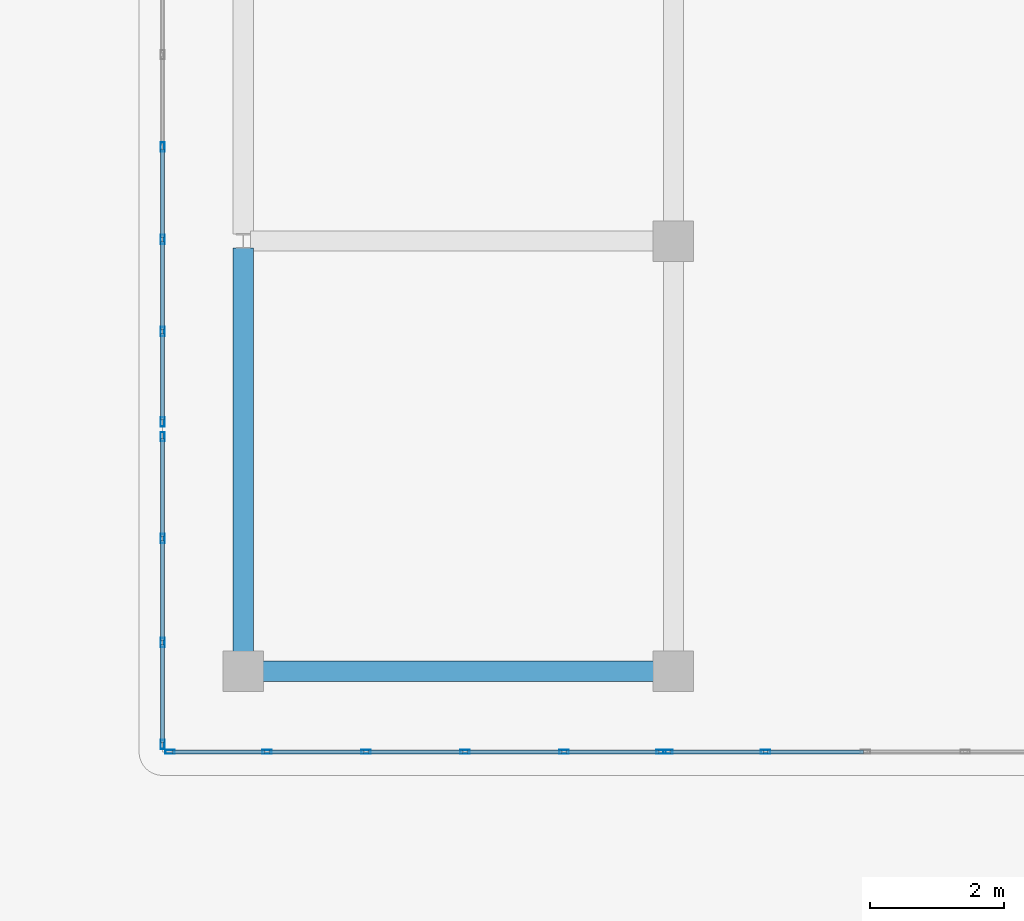
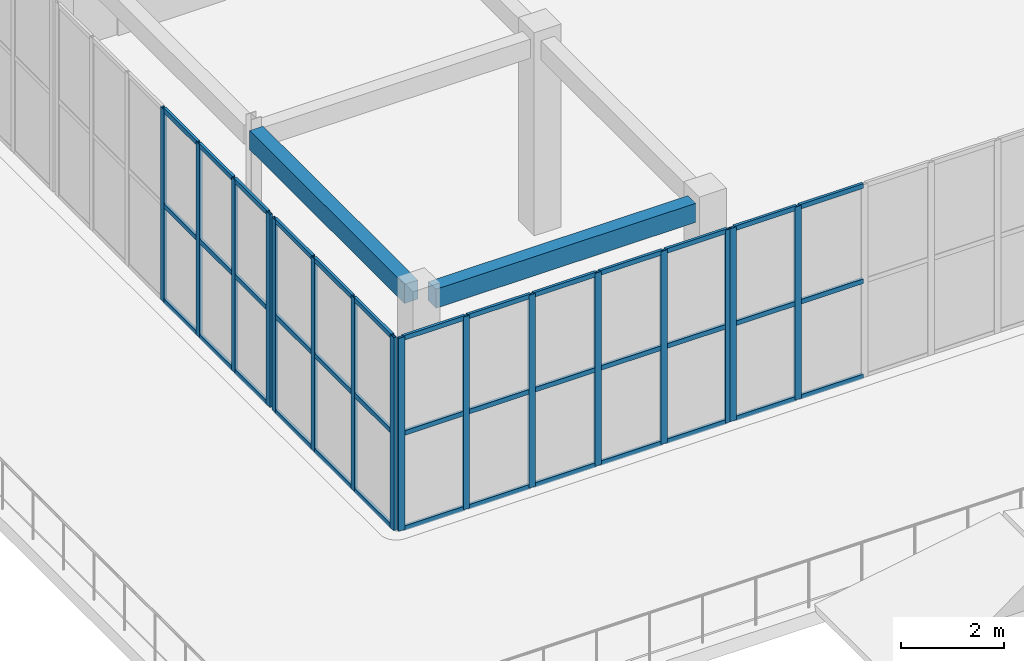
# One storey, part 21 of 158: 55 members, 2 beams, 4 elements without a shape of their own.
"""IFC4 building model written with IfcOpenShell, lengths in metres."""

from ifc_helpers import new_model, si_unit, direction, frame, origin, origin_2d, place, context, subcontext, project, spatial, rectangle, hollow_rectangle, extrude, material, layer, layer_set, material_profile, profile_set, type_object, element, aggregate, save


model = new_model("IFC4")

# Units and contexts
model_context = context("Model", 3, precision=1e-05, world=origin(), true_north=direction((0.0, 1.0)))
body_context = subcontext(model_context, "Body", "Model", "MODEL_VIEW")
ifc_project = project(units=[si_unit("LENGTHUNIT", "METRE"), si_unit("AREAUNIT", "SQUARE_METRE"), si_unit("VOLUMEUNIT", "CUBIC_METRE"), si_unit("PLANEANGLEUNIT", "RADIAN"), si_unit("MASSUNIT", "GRAM", prefix="KILO")], contexts=[model_context])

# Site, building, storey
site_placement = place(None, origin())
site = spatial("IfcSite", under=ifc_project, at=site_placement, CompositionType="ELEMENT")
building_placement = place(site_placement, origin())
building = spatial("IfcBuilding", under=site, at=building_placement, Name="Trelvath General Hospital", CompositionType="ELEMENT")
storey_placement = place(building_placement, frame((0.0, 0.0, 8.10009765625)))
storey = spatial("IfcBuildingStorey", under=building, at=storey_placement, Name="L02", CompositionType="ELEMENT", Elevation=8.10009765625)

# Beams
ifc_material_1 = material(Name="Concrete C35/45", Category="concrete")
ifc_material_profile_1 = material_profile(ifc_material_1, rectangle(XDim=0.300048828125, YDim=0.449951171875, at=origin_2d()), Name="RCB300x450")
ifc_profile_set_1 = profile_set([ifc_material_profile_1], Name="Concrete C35/45")
beam_type = type_object("IfcBeamType", Name="Beam RC300x450", PredefinedType="BEAM", material=ifc_profile_set_1)
beam_1_placement = place(storey_placement, frame((54.696044921875, 38.39990234375, 4.3349609375), z_axis=(1.0, 0.0, 0.0), x_axis=(0.0, 1.0, 0.0)))
element("IfcBeam", 1, at=beam_1_placement, inside=storey, type_object=beam_type, Name="Cube Interior Ring Beam CUBE-W-T1 L02", PredefinedType="BEAM", context=body_context, shape_type="SweptSolid", body=[
    extrude(rectangle(XDim=0.300048828125, YDim=0.449951171875, at=origin_2d()), origin(), (0.0, 0.0, 1.0), 5.807861328125),
])
beam_2_placement = place(storey_placement, frame((54.39990234375, 38.696044921875, 4.3349609375), z_axis=(0.0, 1.0, 0.0), x_axis=(-1.0, 0.0, 0.0)))
element("IfcBeam", 2, at=beam_2_placement, inside=storey, type_object=beam_type, Name="Cube Interior Ring Beam CUBE-W-T1 L02", PredefinedType="BEAM", context=body_context, shape_type="SweptSolid", body=[
    extrude(rectangle(XDim=0.300048828125, YDim=0.449951171875, at=origin_2d()), origin(), (0.0, 0.0, 1.0), 5.998046875),
])

# Curtain wall, members
ifc_material_2 = material(Name="Anodised aluminium and low-E glass", Category="aluminium")
ifc_layer_1 = layer(ifc_material_2, 0.139892578125)
ifc_layer_set_1 = layer_set([ifc_layer_1], Name="Anodised aluminium and low-E glass")
curtain_wall_type_1 = type_object("IfcCurtainWallType", Name="CW CrystalCube 737 456 14", PredefinedType="USERDEFINED", material=ifc_layer_set_1)
curtain_wall_1_placement = place(storey_placement, origin())
curtain_wall_1 = element("IfcCurtainWall", 3, at=curtain_wall_1_placement, inside=storey, type_object=curtain_wall_type_1, Name="Crystal Cube Curtain Wall CUBE-W-T1 S1 L02", ObjectType="Unitised Glazed Curtain Wall", PredefinedType="USERDEFINED")
ifc_material_3 = material(Name="Anodised aluminium", Category="aluminium")
ifc_material_profile_2 = material_profile(ifc_material_3, hollow_rectangle(XDim=0.06005859375, YDim=0.139892578125, WallThickness=0.00390625, at=origin_2d()), Name="RHS60x140x4")
ifc_profile_set_2 = profile_set([ifc_material_profile_2], Name="Anodised aluminium")
member_type_1 = type_object("IfcMemberType", Name="CurtainMullion 60x140", PredefinedType="MULLION", material=ifc_profile_set_2)
member_1_placement = place(storey_placement, frame((60.61669921875, 37.199951171875, 0.0), z_axis=(0.0, 0.0, 1.0), x_axis=(0.0, -1.0, 0.0)))
member_1 = element("IfcMember", 4, at=member_1_placement, type_object=member_type_1, Name="CW-190 mullion 1", PredefinedType="MULLION", context=body_context, shape_type="SweptSolid", body=[
    extrude(hollow_rectangle(XDim=0.06005859375, YDim=0.139892578125, WallThickness=0.00390625, at=origin_2d()), origin(), (0.0, 0.0, 1.0), 4.559814453125),
])
member_2_placement = place(storey_placement, frame((59.17333984375, 37.199951171875, 0.0), z_axis=(0.0, 0.0, 1.0), x_axis=(0.0, -1.0, 0.0)))
member_2 = element("IfcMember", 5, at=member_2_placement, type_object=member_type_1, Name="CW-190 mullion 2", PredefinedType="MULLION", context=body_context, shape_type="SweptSolid", body=[
    extrude(hollow_rectangle(XDim=0.06005859375, YDim=0.139892578125, WallThickness=0.00390625, at=origin_2d()), origin(), (0.0, 0.0, 1.0), 4.559814453125),
])
member_3_placement = place(storey_placement, frame((57.699951171875, 37.199951171875, 0.0), z_axis=(0.0, 0.0, 1.0), x_axis=(0.0, -1.0, 0.0)))
member_3 = element("IfcMember", 6, at=member_3_placement, type_object=member_type_1, Name="CW-190 mullion 3", PredefinedType="MULLION", context=body_context, shape_type="SweptSolid", body=[
    extrude(hollow_rectangle(XDim=0.06005859375, YDim=0.139892578125, WallThickness=0.00390625, at=origin_2d()), origin(), (0.0, 0.0, 1.0), 4.559814453125),
])
member_4_placement = place(storey_placement, frame((56.2265625, 37.199951171875, 0.0), z_axis=(0.0, 0.0, 1.0), x_axis=(0.0, -1.0, 0.0)))
member_4 = element("IfcMember", 7, at=member_4_placement, type_object=member_type_1, Name="CW-190 mullion 4", PredefinedType="MULLION", context=body_context, shape_type="SweptSolid", body=[
    extrude(hollow_rectangle(XDim=0.06005859375, YDim=0.139892578125, WallThickness=0.00390625, at=origin_2d()), origin(), (0.0, 0.0, 1.0), 4.559814453125),
])
member_5_placement = place(storey_placement, frame((54.75341796875, 37.199951171875, 0.0), z_axis=(0.0, 0.0, 1.0), x_axis=(0.0, -1.0, 0.0)))
member_5 = element("IfcMember", 8, at=member_5_placement, type_object=member_type_1, Name="CW-190 mullion 5", PredefinedType="MULLION", context=body_context, shape_type="SweptSolid", body=[
    extrude(hollow_rectangle(XDim=0.06005859375, YDim=0.139892578125, WallThickness=0.00390625, at=origin_2d()), origin(), (0.0, 0.0, 1.0), 4.559814453125),
])
member_6_placement = place(storey_placement, frame((53.31005859375, 37.199951171875, 0.0), z_axis=(0.0, 0.0, 1.0), x_axis=(0.0, -1.0, 0.0)))
member_6 = element("IfcMember", 9, at=member_6_placement, type_object=member_type_1, Name="CW-190 mullion 6", PredefinedType="MULLION", context=body_context, shape_type="SweptSolid", body=[
    extrude(hollow_rectangle(XDim=0.06005859375, YDim=0.139892578125, WallThickness=0.00390625, at=origin_2d()), origin(), (0.0, 0.0, 1.0), 4.559814453125),
])

ifc_material_4 = material(Name="Anodised aluminium and low-E glass", Category="aluminium")
ifc_layer_2 = layer(ifc_material_4, 0.139892578125)
ifc_layer_set_2 = layer_set([ifc_layer_2], Name="Anodised aluminium and low-E glass")
curtain_wall_type_2 = type_object("IfcCurtainWallType", Name="CW CrystalCube 743 456 14", PredefinedType="USERDEFINED", material=ifc_layer_set_2)
curtain_wall_2_placement = place(storey_placement, origin())
curtain_wall_2 = element("IfcCurtainWall", 10, at=curtain_wall_2_placement, inside=storey, type_object=curtain_wall_type_2, Name="Crystal Cube Curtain Wall CUBE-W-T1 S2 L02", ObjectType="Unitised Glazed Curtain Wall", PredefinedType="USERDEFINED")
member_7_placement = place(storey_placement, frame((62.172119140625, 37.199951171875, 0.0), z_axis=(0.0, 0.0, 1.0), x_axis=(0.0, -1.0, 0.0)))
member_7 = element("IfcMember", 11, at=member_7_placement, type_object=member_type_1, Name="CW-191 mullion 5", PredefinedType="MULLION", context=body_context, shape_type="SweptSolid", body=[
    extrude(hollow_rectangle(XDim=0.06005859375, YDim=0.139892578125, WallThickness=0.00390625, at=origin_2d()), origin(), (0.0, 0.0, 1.0), 4.559814453125),
])
member_8_placement = place(storey_placement, frame((60.716796875, 37.199951171875, 0.0), z_axis=(0.0, 0.0, 1.0), x_axis=(0.0, -1.0, 0.0)))
member_8 = element("IfcMember", 12, at=member_8_placement, type_object=member_type_1, Name="CW-191 mullion 6", PredefinedType="MULLION", context=body_context, shape_type="SweptSolid", body=[
    extrude(hollow_rectangle(XDim=0.06005859375, YDim=0.139892578125, WallThickness=0.00390625, at=origin_2d()), origin(), (0.0, 0.0, 1.0), 4.559814453125),
])

ifc_material_5 = material(Name="Anodised aluminium and low-E glass", Category="aluminium")
ifc_layer_3 = layer(ifc_material_5, 0.139892578125)
ifc_layer_set_3 = layer_set([ifc_layer_3], Name="Anodised aluminium and low-E glass")
curtain_wall_type_3 = type_object("IfcCurtainWallType", Name="CW CrystalCube 464 456 14", PredefinedType="USERDEFINED", material=ifc_layer_set_3)
curtain_wall_3_placement = place(storey_placement, origin())
curtain_wall_3 = element("IfcCurtainWall", 13, at=curtain_wall_3_placement, inside=storey, type_object=curtain_wall_type_3, Name="Crystal Cube Curtain Wall CUBE-W-T1 W1 L02", ObjectType="Unitised Glazed Curtain Wall", PredefinedType="USERDEFINED")
member_9_placement = place(storey_placement, frame((53.199951171875, 37.31005859375, 0.0), z_axis=(0.0, 0.0, 1.0), x_axis=(-1.0, 0.0, 0.0)))
member_9 = element("IfcMember", 14, at=member_9_placement, type_object=member_type_1, Name="CW-196 mullion 1", PredefinedType="MULLION", context=body_context, shape_type="SweptSolid", body=[
    extrude(hollow_rectangle(XDim=0.06005859375, YDim=0.139892578125, WallThickness=0.00390625, at=origin_2d()), origin(), (0.0, 0.0, 1.0), 4.559814453125),
])
member_10_placement = place(storey_placement, frame((53.199951171875, 38.82666015625, 0.0), z_axis=(0.0, 0.0, 1.0), x_axis=(-1.0, 0.0, 0.0)))
member_10 = element("IfcMember", 15, at=member_10_placement, type_object=member_type_1, Name="CW-196 mullion 2", PredefinedType="MULLION", context=body_context, shape_type="SweptSolid", body=[
    extrude(hollow_rectangle(XDim=0.06005859375, YDim=0.139892578125, WallThickness=0.00390625, at=origin_2d()), origin(), (0.0, 0.0, 1.0), 4.559814453125),
])
member_11_placement = place(storey_placement, frame((53.199951171875, 40.373291015625, 0.0), z_axis=(0.0, 0.0, 1.0), x_axis=(-1.0, 0.0, 0.0)))
member_11 = element("IfcMember", 16, at=member_11_placement, type_object=member_type_1, Name="CW-196 mullion 3", PredefinedType="MULLION", context=body_context, shape_type="SweptSolid", body=[
    extrude(hollow_rectangle(XDim=0.06005859375, YDim=0.139892578125, WallThickness=0.00390625, at=origin_2d()), origin(), (0.0, 0.0, 1.0), 4.559814453125),
])
member_12_placement = place(storey_placement, frame((53.199951171875, 41.889892578125, 0.0), z_axis=(0.0, 0.0, 1.0), x_axis=(-1.0, 0.0, 0.0)))
member_12 = element("IfcMember", 17, at=member_12_placement, type_object=member_type_1, Name="CW-196 mullion 4", PredefinedType="MULLION", context=body_context, shape_type="SweptSolid", body=[
    extrude(hollow_rectangle(XDim=0.06005859375, YDim=0.139892578125, WallThickness=0.00390625, at=origin_2d()), origin(), (0.0, 0.0, 1.0), 4.559814453125),
])

ifc_material_6 = material(Name="Anodised aluminium and low-E glass", Category="aluminium")
ifc_layer_4 = layer(ifc_material_6, 0.139892578125)
ifc_layer_set_4 = layer_set([ifc_layer_4], Name="Anodised aluminium and low-E glass")
curtain_wall_type_4 = type_object("IfcCurtainWallType", Name="CW CrystalCube 824 456 14", PredefinedType="USERDEFINED", material=ifc_layer_set_4)
curtain_wall_4_placement = place(storey_placement, origin())
curtain_wall_4 = element("IfcCurtainWall", 18, at=curtain_wall_4_placement, inside=storey, type_object=curtain_wall_type_4, Name="Crystal Cube Curtain Wall CUBE-W-T1 W2 L02", ObjectType="Unitised Glazed Curtain Wall", PredefinedType="USERDEFINED")
member_13_placement = place(storey_placement, frame((53.199951171875, 42.110107421875, 0.0), z_axis=(0.0, 0.0, 1.0), x_axis=(-1.0, 0.0, 0.0)))
member_13 = element("IfcMember", 19, at=member_13_placement, type_object=member_type_1, Name="CW-198 mullion 1", PredefinedType="MULLION", context=body_context, shape_type="SweptSolid", body=[
    extrude(hollow_rectangle(XDim=0.06005859375, YDim=0.139892578125, WallThickness=0.00390625, at=origin_2d()), origin(), (0.0, 0.0, 1.0), 4.559814453125),
])
member_14_placement = place(storey_placement, frame((53.199951171875, 43.453369140625, 0.0), z_axis=(0.0, 0.0, 1.0), x_axis=(-1.0, 0.0, 0.0)))
member_14 = element("IfcMember", 20, at=member_14_placement, type_object=member_type_1, Name="CW-198 mullion 2", PredefinedType="MULLION", context=body_context, shape_type="SweptSolid", body=[
    extrude(hollow_rectangle(XDim=0.06005859375, YDim=0.139892578125, WallThickness=0.00390625, at=origin_2d()), origin(), (0.0, 0.0, 1.0), 4.559814453125),
])
member_15_placement = place(storey_placement, frame((53.199951171875, 44.82666015625, 0.0), z_axis=(0.0, 0.0, 1.0), x_axis=(-1.0, 0.0, 0.0)))
member_15 = element("IfcMember", 21, at=member_15_placement, type_object=member_type_1, Name="CW-198 mullion 3", PredefinedType="MULLION", context=body_context, shape_type="SweptSolid", body=[
    extrude(hollow_rectangle(XDim=0.06005859375, YDim=0.139892578125, WallThickness=0.00390625, at=origin_2d()), origin(), (0.0, 0.0, 1.0), 4.559814453125),
])
member_16_placement = place(storey_placement, frame((53.199951171875, 46.199951171875, 0.0), z_axis=(0.0, 0.0, 1.0), x_axis=(-1.0, 0.0, 0.0)))
member_16 = element("IfcMember", 22, at=member_16_placement, type_object=member_type_1, Name="CW-198 mullion 4", PredefinedType="MULLION", context=body_context, shape_type="SweptSolid", body=[
    extrude(hollow_rectangle(XDim=0.06005859375, YDim=0.139892578125, WallThickness=0.00390625, at=origin_2d()), origin(), (0.0, 0.0, 1.0), 4.559814453125),
])

# Member
ifc_material_7 = material(Name="Anodised aluminium", Category="aluminium")
ifc_material_profile_3 = material_profile(ifc_material_7, hollow_rectangle(XDim=0.06005859375, YDim=0.110107421875, WallThickness=0.00390625, at=origin_2d()), Name="RHS60x110x4")
ifc_profile_set_3 = profile_set([ifc_material_profile_3], Name="Anodised aluminium")
member_type_2 = type_object("IfcMemberType", Name="CurtainTransom 60x110", PredefinedType="USERDEFINED", material=ifc_profile_set_3)
member_17_placement = place(storey_placement, frame((60.586669921875, 37.199951171875, 0.02978515625), z_axis=(-1.0, 0.0, 0.0), x_axis=(0.0, -1.0, 0.0)))
member_17 = element("IfcMember", 23, at=member_17_placement, type_object=member_type_2, Name="CW-190 transom 1.1", ObjectType="TRANSOM", PredefinedType="USERDEFINED", context=body_context, shape_type="SweptSolid", body=[
    extrude(hollow_rectangle(XDim=0.06005859375, YDim=0.110107421875, WallThickness=0.00390625, at=origin_2d()), origin(), (0.0, 0.0, 1.0), 1.38330078125),
])

member_18_placement = place(storey_placement, frame((60.586669921875, 37.199951171875, 2.27978515625), z_axis=(-1.0, 0.0, 0.0), x_axis=(0.0, -1.0, 0.0)))
member_18 = element("IfcMember", 24, at=member_18_placement, type_object=member_type_2, Name="CW-190 transom 1.2", ObjectType="TRANSOM", PredefinedType="USERDEFINED", context=body_context, shape_type="SweptSolid", body=[
    extrude(hollow_rectangle(XDim=0.06005859375, YDim=0.110107421875, WallThickness=0.00390625, at=origin_2d()), origin(), (0.0, 0.0, 1.0), 1.38330078125),
])

member_19_placement = place(storey_placement, frame((60.586669921875, 37.199951171875, 4.52978515625), z_axis=(-1.0, 0.0, 0.0), x_axis=(0.0, -1.0, 0.0)))
member_19 = element("IfcMember", 25, at=member_19_placement, type_object=member_type_2, Name="CW-190 transom 1.3", ObjectType="TRANSOM", PredefinedType="USERDEFINED", context=body_context, shape_type="SweptSolid", body=[
    extrude(hollow_rectangle(XDim=0.06005859375, YDim=0.110107421875, WallThickness=0.00390625, at=origin_2d()), origin(), (0.0, 0.0, 1.0), 1.38330078125),
])

member_20_placement = place(storey_placement, frame((59.143310546875, 37.199951171875, 0.02978515625), z_axis=(-1.0, 0.0, 0.0), x_axis=(0.0, -1.0, 0.0)))
member_20 = element("IfcMember", 26, at=member_20_placement, type_object=member_type_2, Name="CW-190 transom 2.1", ObjectType="TRANSOM", PredefinedType="USERDEFINED", context=body_context, shape_type="SweptSolid", body=[
    extrude(hollow_rectangle(XDim=0.06005859375, YDim=0.110107421875, WallThickness=0.00390625, at=origin_2d()), origin(), (0.0, 0.0, 1.0), 1.413330078125),
])

member_21_placement = place(storey_placement, frame((59.143310546875, 37.199951171875, 2.27978515625), z_axis=(-1.0, 0.0, 0.0), x_axis=(0.0, -1.0, 0.0)))
member_21 = element("IfcMember", 27, at=member_21_placement, type_object=member_type_2, Name="CW-190 transom 2.2", ObjectType="TRANSOM", PredefinedType="USERDEFINED", context=body_context, shape_type="SweptSolid", body=[
    extrude(hollow_rectangle(XDim=0.06005859375, YDim=0.110107421875, WallThickness=0.00390625, at=origin_2d()), origin(), (0.0, 0.0, 1.0), 1.413330078125),
])

member_22_placement = place(storey_placement, frame((59.143310546875, 37.199951171875, 4.52978515625), z_axis=(-1.0, 0.0, 0.0), x_axis=(0.0, -1.0, 0.0)))
member_22 = element("IfcMember", 28, at=member_22_placement, type_object=member_type_2, Name="CW-190 transom 2.3", ObjectType="TRANSOM", PredefinedType="USERDEFINED", context=body_context, shape_type="SweptSolid", body=[
    extrude(hollow_rectangle(XDim=0.06005859375, YDim=0.110107421875, WallThickness=0.00390625, at=origin_2d()), origin(), (0.0, 0.0, 1.0), 1.413330078125),
])

member_23_placement = place(storey_placement, frame((57.669921875, 37.199951171875, 0.02978515625), z_axis=(-1.0, 0.0, 0.0), x_axis=(0.0, -1.0, 0.0)))
member_23 = element("IfcMember", 29, at=member_23_placement, type_object=member_type_2, Name="CW-190 transom 3.1", ObjectType="TRANSOM", PredefinedType="USERDEFINED", context=body_context, shape_type="SweptSolid", body=[
    extrude(hollow_rectangle(XDim=0.06005859375, YDim=0.110107421875, WallThickness=0.00390625, at=origin_2d()), origin(), (0.0, 0.0, 1.0), 1.413330078125),
])

member_24_placement = place(storey_placement, frame((57.669921875, 37.199951171875, 2.27978515625), z_axis=(-1.0, 0.0, 0.0), x_axis=(0.0, -1.0, 0.0)))
member_24 = element("IfcMember", 30, at=member_24_placement, type_object=member_type_2, Name="CW-190 transom 3.2", ObjectType="TRANSOM", PredefinedType="USERDEFINED", context=body_context, shape_type="SweptSolid", body=[
    extrude(hollow_rectangle(XDim=0.06005859375, YDim=0.110107421875, WallThickness=0.00390625, at=origin_2d()), origin(), (0.0, 0.0, 1.0), 1.413330078125),
])

member_25_placement = place(storey_placement, frame((57.669921875, 37.199951171875, 4.52978515625), z_axis=(-1.0, 0.0, 0.0), x_axis=(0.0, -1.0, 0.0)))
member_25 = element("IfcMember", 31, at=member_25_placement, type_object=member_type_2, Name="CW-190 transom 3.3", ObjectType="TRANSOM", PredefinedType="USERDEFINED", context=body_context, shape_type="SweptSolid", body=[
    extrude(hollow_rectangle(XDim=0.06005859375, YDim=0.110107421875, WallThickness=0.00390625, at=origin_2d()), origin(), (0.0, 0.0, 1.0), 1.413330078125),
])

member_26_placement = place(storey_placement, frame((56.19677734375, 37.199951171875, 0.02978515625), z_axis=(-1.0, 0.0, 0.0), x_axis=(0.0, -1.0, 0.0)))
member_26 = element("IfcMember", 32, at=member_26_placement, type_object=member_type_2, Name="CW-190 transom 4.1", ObjectType="TRANSOM", PredefinedType="USERDEFINED", context=body_context, shape_type="SweptSolid", body=[
    extrude(hollow_rectangle(XDim=0.06005859375, YDim=0.110107421875, WallThickness=0.00390625, at=origin_2d()), origin(), (0.0, 0.0, 1.0), 1.413330078125),
])

member_27_placement = place(storey_placement, frame((56.19677734375, 37.199951171875, 2.27978515625), z_axis=(-1.0, 0.0, 0.0), x_axis=(0.0, -1.0, 0.0)))
member_27 = element("IfcMember", 33, at=member_27_placement, type_object=member_type_2, Name="CW-190 transom 4.2", ObjectType="TRANSOM", PredefinedType="USERDEFINED", context=body_context, shape_type="SweptSolid", body=[
    extrude(hollow_rectangle(XDim=0.06005859375, YDim=0.110107421875, WallThickness=0.00390625, at=origin_2d()), origin(), (0.0, 0.0, 1.0), 1.413330078125),
])

member_28_placement = place(storey_placement, frame((56.19677734375, 37.199951171875, 4.52978515625), z_axis=(-1.0, 0.0, 0.0), x_axis=(0.0, -1.0, 0.0)))
member_28 = element("IfcMember", 34, at=member_28_placement, type_object=member_type_2, Name="CW-190 transom 4.3", ObjectType="TRANSOM", PredefinedType="USERDEFINED", context=body_context, shape_type="SweptSolid", body=[
    extrude(hollow_rectangle(XDim=0.06005859375, YDim=0.110107421875, WallThickness=0.00390625, at=origin_2d()), origin(), (0.0, 0.0, 1.0), 1.413330078125),
])

member_29_placement = place(storey_placement, frame((54.723388671875, 37.199951171875, 0.02978515625), z_axis=(-1.0, 0.0, 0.0), x_axis=(0.0, -1.0, 0.0)))
member_29 = element("IfcMember", 35, at=member_29_placement, type_object=member_type_2, Name="CW-190 transom 5.1", ObjectType="TRANSOM", PredefinedType="USERDEFINED", context=body_context, shape_type="SweptSolid", body=[
    extrude(hollow_rectangle(XDim=0.06005859375, YDim=0.110107421875, WallThickness=0.00390625, at=origin_2d()), origin(), (0.0, 0.0, 1.0), 1.38330078125),
])

member_30_placement = place(storey_placement, frame((54.723388671875, 37.199951171875, 2.27978515625), z_axis=(-1.0, 0.0, 0.0), x_axis=(0.0, -1.0, 0.0)))
member_30 = element("IfcMember", 36, at=member_30_placement, type_object=member_type_2, Name="CW-190 transom 5.2", ObjectType="TRANSOM", PredefinedType="USERDEFINED", context=body_context, shape_type="SweptSolid", body=[
    extrude(hollow_rectangle(XDim=0.06005859375, YDim=0.110107421875, WallThickness=0.00390625, at=origin_2d()), origin(), (0.0, 0.0, 1.0), 1.38330078125),
])

member_31_placement = place(storey_placement, frame((54.723388671875, 37.199951171875, 4.52978515625), z_axis=(-1.0, 0.0, 0.0), x_axis=(0.0, -1.0, 0.0)))
member_31 = element("IfcMember", 37, at=member_31_placement, type_object=member_type_2, Name="CW-190 transom 5.3", ObjectType="TRANSOM", PredefinedType="USERDEFINED", context=body_context, shape_type="SweptSolid", body=[
    extrude(hollow_rectangle(XDim=0.06005859375, YDim=0.110107421875, WallThickness=0.00390625, at=origin_2d()), origin(), (0.0, 0.0, 1.0), 1.38330078125),
])

aggregate(curtain_wall_1, [member_1, member_2, member_3, member_4, member_5, member_6, member_17, member_18, member_19, member_20, member_21, member_22, member_23, member_24, member_25, member_26, member_27, member_28, member_29, member_30, member_31])

member_32_placement = place(storey_placement, frame((63.62744140625, 37.199951171875, 0.02978515625), z_axis=(-1.0, 0.0, 0.0), x_axis=(0.0, -1.0, 0.0)))
member_32 = element("IfcMember", 38, at=member_32_placement, type_object=member_type_2, Name="CW-191 transom 4.1", ObjectType="TRANSOM", PredefinedType="USERDEFINED", context=body_context, shape_type="SweptSolid", body=[
    extrude(hollow_rectangle(XDim=0.06005859375, YDim=0.110107421875, WallThickness=0.00390625, at=origin_2d()), origin(), (0.0, 0.0, 1.0), 1.425537109375),
])

member_33_placement = place(storey_placement, frame((63.62744140625, 37.199951171875, 2.27978515625), z_axis=(-1.0, 0.0, 0.0), x_axis=(0.0, -1.0, 0.0)))
member_33 = element("IfcMember", 39, at=member_33_placement, type_object=member_type_2, Name="CW-191 transom 4.2", ObjectType="TRANSOM", PredefinedType="USERDEFINED", context=body_context, shape_type="SweptSolid", body=[
    extrude(hollow_rectangle(XDim=0.06005859375, YDim=0.110107421875, WallThickness=0.00390625, at=origin_2d()), origin(), (0.0, 0.0, 1.0), 1.425537109375),
])

member_34_placement = place(storey_placement, frame((63.62744140625, 37.199951171875, 4.52978515625), z_axis=(-1.0, 0.0, 0.0), x_axis=(0.0, -1.0, 0.0)))
member_34 = element("IfcMember", 40, at=member_34_placement, type_object=member_type_2, Name="CW-191 transom 4.3", ObjectType="TRANSOM", PredefinedType="USERDEFINED", context=body_context, shape_type="SweptSolid", body=[
    extrude(hollow_rectangle(XDim=0.06005859375, YDim=0.110107421875, WallThickness=0.00390625, at=origin_2d()), origin(), (0.0, 0.0, 1.0), 1.425537109375),
])

member_35_placement = place(storey_placement, frame((62.14208984375, 37.199951171875, 0.02978515625), z_axis=(-1.0, 0.0, 0.0), x_axis=(0.0, -1.0, 0.0)))
member_35 = element("IfcMember", 41, at=member_35_placement, type_object=member_type_2, Name="CW-191 transom 5.1", ObjectType="TRANSOM", PredefinedType="USERDEFINED", context=body_context, shape_type="SweptSolid", body=[
    extrude(hollow_rectangle(XDim=0.06005859375, YDim=0.110107421875, WallThickness=0.00390625, at=origin_2d()), origin(), (0.0, 0.0, 1.0), 1.3955078125),
])

member_36_placement = place(storey_placement, frame((62.14208984375, 37.199951171875, 2.27978515625), z_axis=(-1.0, 0.0, 0.0), x_axis=(0.0, -1.0, 0.0)))
member_36 = element("IfcMember", 42, at=member_36_placement, type_object=member_type_2, Name="CW-191 transom 5.2", ObjectType="TRANSOM", PredefinedType="USERDEFINED", context=body_context, shape_type="SweptSolid", body=[
    extrude(hollow_rectangle(XDim=0.06005859375, YDim=0.110107421875, WallThickness=0.00390625, at=origin_2d()), origin(), (0.0, 0.0, 1.0), 1.3955078125),
])

member_37_placement = place(storey_placement, frame((62.14208984375, 37.199951171875, 4.52978515625), z_axis=(-1.0, 0.0, 0.0), x_axis=(0.0, -1.0, 0.0)))
member_37 = element("IfcMember", 43, at=member_37_placement, type_object=member_type_2, Name="CW-191 transom 5.3", ObjectType="TRANSOM", PredefinedType="USERDEFINED", context=body_context, shape_type="SweptSolid", body=[
    extrude(hollow_rectangle(XDim=0.06005859375, YDim=0.110107421875, WallThickness=0.00390625, at=origin_2d()), origin(), (0.0, 0.0, 1.0), 1.3955078125),
])

aggregate(curtain_wall_2, [member_7, member_8, member_32, member_33, member_34, member_35, member_36, member_37])

member_38_placement = place(storey_placement, frame((53.199951171875, 37.340087890625, 0.02978515625), z_axis=(0.0, 1.0, 0.0), x_axis=(-1.0, 0.0, 0.0)))
member_38 = element("IfcMember", 44, at=member_38_placement, type_object=member_type_2, Name="CW-196 transom 1.1", ObjectType="TRANSOM", PredefinedType="USERDEFINED", context=body_context, shape_type="SweptSolid", body=[
    extrude(hollow_rectangle(XDim=0.06005859375, YDim=0.110107421875, WallThickness=0.00390625, at=origin_2d()), origin(), (0.0, 0.0, 1.0), 1.45654296875),
])

member_39_placement = place(storey_placement, frame((53.199951171875, 37.340087890625, 2.27978515625), z_axis=(0.0, 1.0, 0.0), x_axis=(-1.0, 0.0, 0.0)))
member_39 = element("IfcMember", 45, at=member_39_placement, type_object=member_type_2, Name="CW-196 transom 1.2", ObjectType="TRANSOM", PredefinedType="USERDEFINED", context=body_context, shape_type="SweptSolid", body=[
    extrude(hollow_rectangle(XDim=0.06005859375, YDim=0.110107421875, WallThickness=0.00390625, at=origin_2d()), origin(), (0.0, 0.0, 1.0), 1.45654296875),
])

member_40_placement = place(storey_placement, frame((53.199951171875, 37.340087890625, 4.52978515625), z_axis=(0.0, 1.0, 0.0), x_axis=(-1.0, 0.0, 0.0)))
member_40 = element("IfcMember", 46, at=member_40_placement, type_object=member_type_2, Name="CW-196 transom 1.3", ObjectType="TRANSOM", PredefinedType="USERDEFINED", context=body_context, shape_type="SweptSolid", body=[
    extrude(hollow_rectangle(XDim=0.06005859375, YDim=0.110107421875, WallThickness=0.00390625, at=origin_2d()), origin(), (0.0, 0.0, 1.0), 1.45654296875),
])

member_41_placement = place(storey_placement, frame((53.199951171875, 38.856689453125, 0.02978515625), z_axis=(0.0, 1.0, 0.0), x_axis=(-1.0, 0.0, 0.0)))
member_41 = element("IfcMember", 47, at=member_41_placement, type_object=member_type_2, Name="CW-196 transom 2.1", ObjectType="TRANSOM", PredefinedType="USERDEFINED", context=body_context, shape_type="SweptSolid", body=[
    extrude(hollow_rectangle(XDim=0.06005859375, YDim=0.110107421875, WallThickness=0.00390625, at=origin_2d()), origin(), (0.0, 0.0, 1.0), 1.486572265625),
])

member_42_placement = place(storey_placement, frame((53.199951171875, 38.856689453125, 2.27978515625), z_axis=(0.0, 1.0, 0.0), x_axis=(-1.0, 0.0, 0.0)))
member_42 = element("IfcMember", 48, at=member_42_placement, type_object=member_type_2, Name="CW-196 transom 2.2", ObjectType="TRANSOM", PredefinedType="USERDEFINED", context=body_context, shape_type="SweptSolid", body=[
    extrude(hollow_rectangle(XDim=0.06005859375, YDim=0.110107421875, WallThickness=0.00390625, at=origin_2d()), origin(), (0.0, 0.0, 1.0), 1.486572265625),
])

member_43_placement = place(storey_placement, frame((53.199951171875, 38.856689453125, 4.52978515625), z_axis=(0.0, 1.0, 0.0), x_axis=(-1.0, 0.0, 0.0)))
member_43 = element("IfcMember", 49, at=member_43_placement, type_object=member_type_2, Name="CW-196 transom 2.3", ObjectType="TRANSOM", PredefinedType="USERDEFINED", context=body_context, shape_type="SweptSolid", body=[
    extrude(hollow_rectangle(XDim=0.06005859375, YDim=0.110107421875, WallThickness=0.00390625, at=origin_2d()), origin(), (0.0, 0.0, 1.0), 1.486572265625),
])

member_44_placement = place(storey_placement, frame((53.199951171875, 40.4033203125, 0.02978515625), z_axis=(0.0, 1.0, 0.0), x_axis=(-1.0, 0.0, 0.0)))
member_44 = element("IfcMember", 50, at=member_44_placement, type_object=member_type_2, Name="CW-196 transom 3.1", ObjectType="TRANSOM", PredefinedType="USERDEFINED", context=body_context, shape_type="SweptSolid", body=[
    extrude(hollow_rectangle(XDim=0.06005859375, YDim=0.110107421875, WallThickness=0.00390625, at=origin_2d()), origin(), (0.0, 0.0, 1.0), 1.456787109375),
])

member_45_placement = place(storey_placement, frame((53.199951171875, 40.4033203125, 2.27978515625), z_axis=(0.0, 1.0, 0.0), x_axis=(-1.0, 0.0, 0.0)))
member_45 = element("IfcMember", 51, at=member_45_placement, type_object=member_type_2, Name="CW-196 transom 3.2", ObjectType="TRANSOM", PredefinedType="USERDEFINED", context=body_context, shape_type="SweptSolid", body=[
    extrude(hollow_rectangle(XDim=0.06005859375, YDim=0.110107421875, WallThickness=0.00390625, at=origin_2d()), origin(), (0.0, 0.0, 1.0), 1.456787109375),
])

member_46_placement = place(storey_placement, frame((53.199951171875, 40.4033203125, 4.52978515625), z_axis=(0.0, 1.0, 0.0), x_axis=(-1.0, 0.0, 0.0)))
member_46 = element("IfcMember", 52, at=member_46_placement, type_object=member_type_2, Name="CW-196 transom 3.3", ObjectType="TRANSOM", PredefinedType="USERDEFINED", context=body_context, shape_type="SweptSolid", body=[
    extrude(hollow_rectangle(XDim=0.06005859375, YDim=0.110107421875, WallThickness=0.00390625, at=origin_2d()), origin(), (0.0, 0.0, 1.0), 1.456787109375),
])

aggregate(curtain_wall_3, [member_9, member_10, member_11, member_12, member_38, member_39, member_40, member_41, member_42, member_43, member_44, member_45, member_46])

member_47_placement = place(storey_placement, frame((53.199951171875, 42.139892578125, 0.02978515625), z_axis=(0.0, 1.0, 0.0), x_axis=(-1.0, 0.0, 0.0)))
member_47 = element("IfcMember", 53, at=member_47_placement, type_object=member_type_2, Name="CW-198 transom 1.1", ObjectType="TRANSOM", PredefinedType="USERDEFINED", context=body_context, shape_type="SweptSolid", body=[
    extrude(hollow_rectangle(XDim=0.06005859375, YDim=0.110107421875, WallThickness=0.00390625, at=origin_2d()), origin(), (0.0, 0.0, 1.0), 1.283447265625),
])

member_48_placement = place(storey_placement, frame((53.199951171875, 42.139892578125, 2.27978515625), z_axis=(0.0, 1.0, 0.0), x_axis=(-1.0, 0.0, 0.0)))
member_48 = element("IfcMember", 54, at=member_48_placement, type_object=member_type_2, Name="CW-198 transom 1.2", ObjectType="TRANSOM", PredefinedType="USERDEFINED", context=body_context, shape_type="SweptSolid", body=[
    extrude(hollow_rectangle(XDim=0.06005859375, YDim=0.110107421875, WallThickness=0.00390625, at=origin_2d()), origin(), (0.0, 0.0, 1.0), 1.283447265625),
])

member_49_placement = place(storey_placement, frame((53.199951171875, 42.139892578125, 4.52978515625), z_axis=(0.0, 1.0, 0.0), x_axis=(-1.0, 0.0, 0.0)))
member_49 = element("IfcMember", 55, at=member_49_placement, type_object=member_type_2, Name="CW-198 transom 1.3", ObjectType="TRANSOM", PredefinedType="USERDEFINED", context=body_context, shape_type="SweptSolid", body=[
    extrude(hollow_rectangle(XDim=0.06005859375, YDim=0.110107421875, WallThickness=0.00390625, at=origin_2d()), origin(), (0.0, 0.0, 1.0), 1.283447265625),
])

member_50_placement = place(storey_placement, frame((53.199951171875, 43.4833984375, 0.02978515625), z_axis=(0.0, 1.0, 0.0), x_axis=(-1.0, 0.0, 0.0)))
member_50 = element("IfcMember", 56, at=member_50_placement, type_object=member_type_2, Name="CW-198 transom 2.1", ObjectType="TRANSOM", PredefinedType="USERDEFINED", context=body_context, shape_type="SweptSolid", body=[
    extrude(hollow_rectangle(XDim=0.06005859375, YDim=0.110107421875, WallThickness=0.00390625, at=origin_2d()), origin(), (0.0, 0.0, 1.0), 1.313232421875),
])

member_51_placement = place(storey_placement, frame((53.199951171875, 43.4833984375, 2.27978515625), z_axis=(0.0, 1.0, 0.0), x_axis=(-1.0, 0.0, 0.0)))
member_51 = element("IfcMember", 57, at=member_51_placement, type_object=member_type_2, Name="CW-198 transom 2.2", ObjectType="TRANSOM", PredefinedType="USERDEFINED", context=body_context, shape_type="SweptSolid", body=[
    extrude(hollow_rectangle(XDim=0.06005859375, YDim=0.110107421875, WallThickness=0.00390625, at=origin_2d()), origin(), (0.0, 0.0, 1.0), 1.313232421875),
])

member_52_placement = place(storey_placement, frame((53.199951171875, 43.4833984375, 4.52978515625), z_axis=(0.0, 1.0, 0.0), x_axis=(-1.0, 0.0, 0.0)))
member_52 = element("IfcMember", 58, at=member_52_placement, type_object=member_type_2, Name="CW-198 transom 2.3", ObjectType="TRANSOM", PredefinedType="USERDEFINED", context=body_context, shape_type="SweptSolid", body=[
    extrude(hollow_rectangle(XDim=0.06005859375, YDim=0.110107421875, WallThickness=0.00390625, at=origin_2d()), origin(), (0.0, 0.0, 1.0), 1.313232421875),
])

member_53_placement = place(storey_placement, frame((53.199951171875, 44.856689453125, 0.02978515625), z_axis=(0.0, 1.0, 0.0), x_axis=(-1.0, 0.0, 0.0)))
member_53 = element("IfcMember", 59, at=member_53_placement, type_object=member_type_2, Name="CW-198 transom 3.1", ObjectType="TRANSOM", PredefinedType="USERDEFINED", context=body_context, shape_type="SweptSolid", body=[
    extrude(hollow_rectangle(XDim=0.06005859375, YDim=0.110107421875, WallThickness=0.00390625, at=origin_2d()), origin(), (0.0, 0.0, 1.0), 1.313232421875),
])

member_54_placement = place(storey_placement, frame((53.199951171875, 44.856689453125, 2.27978515625), z_axis=(0.0, 1.0, 0.0), x_axis=(-1.0, 0.0, 0.0)))
member_54 = element("IfcMember", 60, at=member_54_placement, type_object=member_type_2, Name="CW-198 transom 3.2", ObjectType="TRANSOM", PredefinedType="USERDEFINED", context=body_context, shape_type="SweptSolid", body=[
    extrude(hollow_rectangle(XDim=0.06005859375, YDim=0.110107421875, WallThickness=0.00390625, at=origin_2d()), origin(), (0.0, 0.0, 1.0), 1.313232421875),
])

member_55_placement = place(storey_placement, frame((53.199951171875, 44.856689453125, 4.52978515625), z_axis=(0.0, 1.0, 0.0), x_axis=(-1.0, 0.0, 0.0)))
member_55 = element("IfcMember", 61, at=member_55_placement, type_object=member_type_2, Name="CW-198 transom 3.3", ObjectType="TRANSOM", PredefinedType="USERDEFINED", context=body_context, shape_type="SweptSolid", body=[
    extrude(hollow_rectangle(XDim=0.06005859375, YDim=0.110107421875, WallThickness=0.00390625, at=origin_2d()), origin(), (0.0, 0.0, 1.0), 1.313232421875),
])

aggregate(curtain_wall_4, [member_13, member_14, member_15, member_16, member_47, member_48, member_49, member_50, member_51, member_52, member_53, member_54, member_55])

save(model, "model.ifc")
